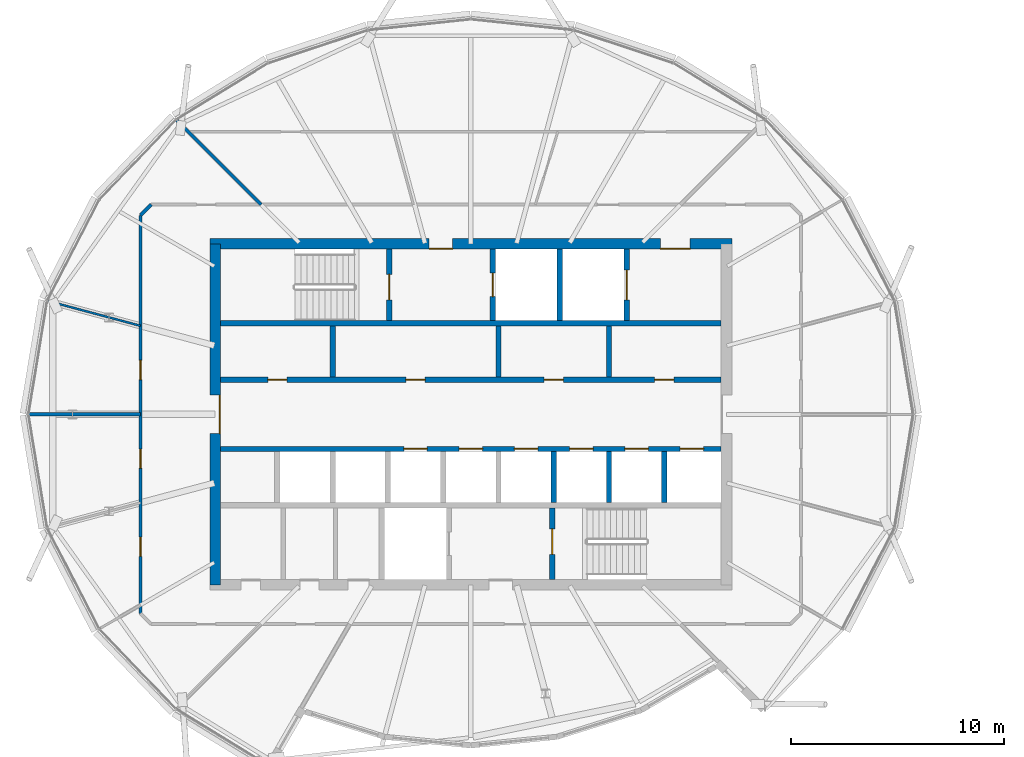
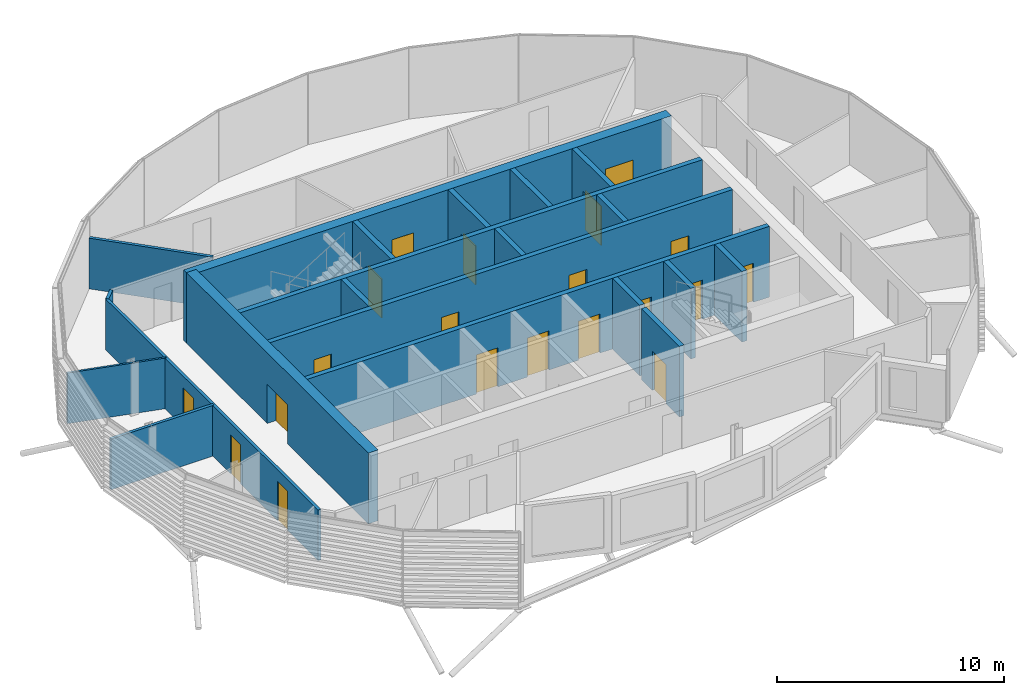
# One storey, part 19 of 35: 21 walls, 20 doors, 20 openings.
"""IFC4 building model written with IfcOpenShell, lengths in metres."""

from ifc_helpers import new_model, si_unit, direction, frame, frame_2d, origin, place, context, subcontext, project, spatial, rectangle, extrude, material, layer, layer_set, type_object, element, fill, save


model = new_model("IFC4")

# Units and contexts
model_context = context("Model", 3, precision=1e-05, world=origin(), true_north=direction((0.0, 1.0)))
body_context = subcontext(model_context, "Body", "Model", "MODEL_VIEW")
ifc_project = project(units=[si_unit("LENGTHUNIT", "METRE"), si_unit("AREAUNIT", "SQUARE_METRE"), si_unit("VOLUMEUNIT", "CUBIC_METRE"), si_unit("PLANEANGLEUNIT", "RADIAN"), si_unit("MASSUNIT", "GRAM", prefix="KILO")], contexts=[model_context])

# Site, building, storey
site_placement = place(None, origin())
site = spatial("IfcSite", under=ifc_project, at=site_placement, CompositionType="ELEMENT")
building_placement = place(site_placement, origin())
building = spatial("IfcBuilding", under=site, at=building_placement, Name="Rimbun Link Towers", CompositionType="ELEMENT")
storey_placement = place(building_placement, frame((0.0, 0.0, 229.5)))
storey = spatial("IfcBuildingStorey", under=building, at=storey_placement, Name="L56", CompositionType="ELEMENT", Elevation=229.5)

# Wall, openings, doors
ifc_material_1 = material(Name="Concrete C60/75", Category="concrete")
ifc_layer_1 = layer(ifc_material_1, 0.5)
ifc_layer_set_1 = layer_set([ifc_layer_1], Name="Core shear wall 500")
wall_type_1 = type_object("IfcWallType", Name="Core shear wall 500", PredefinedType="SHEAR", material=ifc_layer_set_1)
wall_1_placement = place(storey_placement, frame((-44.0, 8.0, 0.0), z_axis=(0.0, 0.0, 1.0), x_axis=(1.0, 0.0, 0.0)))
wall_1 = element("IfcWall", 1, at=wall_1_placement, inside=storey, type_object=wall_type_1, Name="L56 T1 core wall N", PredefinedType="SHEAR", context=body_context, shape_type="SweptSolid", body=[
    extrude(rectangle(XDim=24.5, YDim=0.5, at=frame_2d((12.25, 0.0))), origin(), (0.0, 0.0, 1.0), 3.800048828125),
])
opening_1_placement = place(wall_1_placement, frame((10.300048828125, 0.0, 0.0)))
opening_1 = element("IfcOpeningElement", 2, at=opening_1_placement, cuts=wall_1, Name="Opening C1DCF01N", PredefinedType="OPENING", context=body_context, shape_type="SweptSolid", body=[
    extrude(rectangle(XDim=1.10009765625, YDim=2.10009765625, at=frame_2d((0.550048828125, 1.050048828125))), frame((0.0, 0.260009765625, 0.0), z_axis=(0.0, -1.0, 0.0), x_axis=(1.0, 0.0, 0.0)), (0.0, 0.0, 1.0), 0.52001953125),
])
opening_2_placement = place(wall_1_placement, frame((21.14990234375, 0.0, 0.0)))
opening_2 = element("IfcOpeningElement", 3, at=opening_2_placement, cuts=wall_1, Name="Opening C1DSL02N", PredefinedType="OPENING", context=body_context, shape_type="SweptSolid", body=[
    extrude(rectangle(XDim=1.39990234375, YDim=2.10009765625, at=frame_2d((0.699951171875, 1.050048828125))), frame((0.0, 0.260009765625, 0.0), z_axis=(0.0, -1.0, 0.0), x_axis=(1.0, 0.0, 0.0)), (0.0, 0.0, 1.0), 0.52001953125),
])
ifc_material_2 = material(Name="Steel fire door set", Category="steel")
door_type_1 = type_object("IfcDoorType", Name="Core fire door single", OperationType="SINGLE_SWING_LEFT", PredefinedType="DOOR", material=ifc_material_2)
door_1_placement = place(opening_1_placement, origin())
door_1 = element("IfcDoor", 4, at=door_1_placement, inside=storey, type_object=door_type_1, Name="L56 T1 firefighting lobby n door", OperationType="SINGLE_SWING_RIGHT", OverallHeight=2.10009765625, OverallWidth=1.10009765625, PredefinedType="DOOR", context=body_context, shape_type="SweptSolid", body=[
    extrude(rectangle(XDim=1.10009765625, YDim=2.10009765625, at=frame_2d((0.550048828125, 1.050048828125))), frame((0.0, -0.2001953125, 0.0), z_axis=(0.0, -1.0, 0.0), x_axis=(1.0, 0.0, 0.0)), (0.0, 0.0, 1.0), 0.050048828125),
])
fill(opening_1, door_1)
ifc_material_3 = material(Name="Steel fire door set", Category="steel")
door_type_2 = type_object("IfcDoorType", Name="Service lobby door double", OperationType="DOUBLE_DOOR_SINGLE_SWING", PredefinedType="DOOR", material=ifc_material_3)
door_2_placement = place(opening_2_placement, origin())
door_2 = element("IfcDoor", 5, at=door_2_placement, inside=storey, type_object=door_type_2, Name="L56 T1 service lobby door", OperationType="DOUBLE_DOOR_SINGLE_SWING", OverallHeight=2.10009765625, OverallWidth=1.39990234375, PredefinedType="DOOR", context=body_context, shape_type="SweptSolid", body=[
    extrude(rectangle(XDim=1.39990234375, YDim=2.10009765625, at=frame_2d((0.699951171875, 1.050048828125))), frame((0.0, -0.2001953125, 0.0), z_axis=(0.0, -1.0, 0.0), x_axis=(1.0, 0.0, 0.0)), (0.0, 0.0, 1.0), 0.050048828125),
])
fill(opening_2, door_2)

# Wall, opening, door
wall_2_placement = place(storey_placement, frame((-43.75, -8.0, 0.0), z_axis=(0.0, 0.0, 1.0), x_axis=(0.0, 1.0, 0.0)))
wall_2 = element("IfcWall", 6, at=wall_2_placement, inside=storey, type_object=wall_type_1, Name="L56 T1 core wall W", PredefinedType="SHEAR", context=body_context, shape_type="SweptSolid", body=[
    extrude(rectangle(XDim=16.0, YDim=0.5, at=frame_2d((8.0, 0.0))), origin(), (0.0, 0.0, 1.0), 3.800048828125),
])
opening_3_placement = place(wall_2_placement, frame((7.10009765625, 0.0, 0.0)))
opening_3 = element("IfcOpeningElement", 7, at=opening_3_placement, cuts=wall_2, Name="Opening C1DCL01W", PredefinedType="OPENING", context=body_context, shape_type="SweptSolid", body=[
    extrude(rectangle(XDim=1.800048828125, YDim=2.10009765625, at=frame_2d((0.89990234375, 1.050048828125))), frame((0.0, 0.260009765625, 0.0), z_axis=(0.0, -1.0, 0.0), x_axis=(1.0, 0.0, 0.0)), (0.0, 0.0, 1.0), 0.52001953125),
])
ifc_material_4 = material(Name="Steel fire door set", Category="steel")
door_type_3 = type_object("IfcDoorType", Name="Core lobby door double", OperationType="DOUBLE_DOOR_SINGLE_SWING", PredefinedType="DOOR", material=ifc_material_4)
door_3_placement = place(opening_3_placement, origin())
door_3 = element("IfcDoor", 8, at=door_3_placement, inside=storey, type_object=door_type_3, Name="L56 T1 lift lobby door", OperationType="DOUBLE_DOOR_SINGLE_SWING", OverallHeight=2.10009765625, OverallWidth=1.800048828125, PredefinedType="DOOR", context=body_context, shape_type="SweptSolid", body=[
    extrude(rectangle(XDim=1.800048828125, YDim=2.10009765625, at=frame_2d((0.89990234375, 1.050048828125))), frame((0.0, -0.2001953125, 0.0), z_axis=(0.0, -1.0, 0.0), x_axis=(1.0, 0.0, 0.0)), (0.0, 0.0, 1.0), 0.050048828125),
])
fill(opening_3, door_3)

# Wall, openings, doors
ifc_material_5 = material(Name="Plasterboard on steel stud, mineral wool", Category="steel")
ifc_layer_2 = layer(ifc_material_5, 0.14990234375)
ifc_layer_set_2 = layer_set([ifc_layer_2], Name="Corridor wall EI 30 150 mm")
wall_type_2 = type_object("IfcWallType", Name="Corridor wall EI 30 150 mm", PredefinedType="PARTITIONING", material=ifc_layer_set_2)
wall_3_placement = place(storey_placement, frame((-47.2548828125, -9.34375, 0.0), z_axis=(0.0, 0.0, 1.0), x_axis=(0.0, 1.0, 0.0)))
wall_3 = element("IfcWall", 9, at=wall_3_placement, inside=storey, type_object=wall_type_2, Name="Corridor wall EI 30 150 mm", PredefinedType="PARTITIONING", context=body_context, shape_type="SweptSolid", body=[
    extrude(rectangle(XDim=18.6875, YDim=0.14990234375, at=frame_2d((9.34375, 0.0))), origin(), (0.0, 0.0, 1.0), 2.721923828125),
])
opening_4_placement = place(wall_3_placement, frame((10.970947265625, 0.0, 0.0)))
opening_4 = element("IfcOpeningElement", 10, at=opening_4_placement, cuts=wall_3, Name="Opening D02", PredefinedType="OPENING", context=body_context, shape_type="SweptSolid", body=[
    extrude(rectangle(XDim=0.89990234375, YDim=2.10009765625, at=frame_2d((0.449951171875, 1.050048828125))), frame((0.0, 0.0849609375, 0.0), z_axis=(0.0, -1.0, 0.0), x_axis=(1.0, 0.0, 0.0)), (0.0, 0.0, 1.0), 0.169921875),
])
opening_5_placement = place(wall_3_placement, frame((6.81640625, 0.0, 0.0)))
opening_5 = element("IfcOpeningElement", 11, at=opening_5_placement, cuts=wall_3, Name="Opening D02", PredefinedType="OPENING", context=body_context, shape_type="SweptSolid", body=[
    extrude(rectangle(XDim=0.89990234375, YDim=2.10009765625, at=frame_2d((0.449951171875, 1.050048828125))), frame((0.0, 0.0849609375, 0.0), z_axis=(0.0, -1.0, 0.0), x_axis=(1.0, 0.0, 0.0)), (0.0, 0.0, 1.0), 0.169921875),
])
opening_6_placement = place(wall_3_placement, frame((2.676513671875, 0.0, 0.0)))
opening_6 = element("IfcOpeningElement", 12, at=opening_6_placement, cuts=wall_3, Name="Opening D02", PredefinedType="OPENING", context=body_context, shape_type="SweptSolid", body=[
    extrude(rectangle(XDim=0.89990234375, YDim=2.10009765625, at=frame_2d((0.449951171875, 1.050048828125))), frame((0.0, 0.0849609375, 0.0), z_axis=(0.0, -1.0, 0.0), x_axis=(1.0, 0.0, 0.0)), (0.0, 0.0, 1.0), 0.169921875),
])
ifc_material_6 = material(Name="Fire-resisting timber door leaf", Category="wood")
door_type_4 = type_object("IfcDoorType", Name="Fire door FD30S 900", OperationType="NOTDEFINED", PredefinedType="DOOR", material=ifc_material_6)
door_4_placement = place(opening_4_placement, origin())
door_4 = element("IfcDoor", 13, at=door_4_placement, inside=storey, type_object=door_type_4, Name="Fire door FD30S 900 to Meeting room", OperationType="SINGLE_SWING_LEFT", OverallHeight=2.10009765625, OverallWidth=0.89990234375, PredefinedType="DOOR", context=body_context, shape_type="SweptSolid", body=[
    extrude(rectangle(XDim=0.89990234375, YDim=2.10009765625, at=frame_2d((0.449951171875, 1.050048828125))), frame((0.0, 0.02490234375, 0.0), z_axis=(0.0, -1.0, 0.0), x_axis=(1.0, 0.0, 0.0)), (0.0, 0.0, 1.0), 0.050048828125),
])
fill(opening_4, door_4)
door_5_placement = place(opening_5_placement, origin())
door_5 = element("IfcDoor", 14, at=door_5_placement, inside=storey, type_object=door_type_4, Name="Fire door FD30S 900 to Meeting room", OperationType="SINGLE_SWING_RIGHT", OverallHeight=2.10009765625, OverallWidth=0.89990234375, PredefinedType="DOOR", context=body_context, shape_type="SweptSolid", body=[
    extrude(rectangle(XDim=0.89990234375, YDim=2.10009765625, at=frame_2d((0.449951171875, 1.050048828125))), frame((0.0, 0.02490234375, 0.0), z_axis=(0.0, -1.0, 0.0), x_axis=(1.0, 0.0, 0.0)), (0.0, 0.0, 1.0), 0.050048828125),
])
fill(opening_5, door_5)
door_6_placement = place(opening_6_placement, origin())
door_6 = element("IfcDoor", 15, at=door_6_placement, inside=storey, type_object=door_type_4, Name="Fire door FD30S 900 to Executive office", OperationType="SINGLE_SWING_LEFT", OverallHeight=2.10009765625, OverallWidth=0.89990234375, PredefinedType="DOOR", context=body_context, shape_type="SweptSolid", body=[
    extrude(rectangle(XDim=0.89990234375, YDim=2.10009765625, at=frame_2d((0.449951171875, 1.050048828125))), frame((0.0, 0.02490234375, 0.0), z_axis=(0.0, -1.0, 0.0), x_axis=(1.0, 0.0, 0.0)), (0.0, 0.0, 1.0), 0.050048828125),
])
fill(opening_6, door_6)

# Walls
wall_4_placement = place(storey_placement, frame((-46.753662109375, 9.844970703125, 0.0), z_axis=(0.0, 0.0, 1.0), x_axis=(-0.707106781187, -0.707106781187, 0.0)))
element("IfcWall", 16, at=wall_4_placement, inside=storey, type_object=wall_type_2, Name="Corridor wall EI 30 150 mm", PredefinedType="PARTITIONING", context=body_context, shape_type="SweptSolid", body=[
    extrude(rectangle(XDim=0.708740234375, YDim=0.14990234375, at=frame_2d((0.3544921875, 0.0))), origin(), (0.0, 0.0, 1.0), 2.721923828125),
])
ifc_material_7 = material(Name="Plasterboard on steel stud", Category="steel")
ifc_layer_3 = layer(ifc_material_7, 0.10009765625)
ifc_layer_set_3 = layer_set([ifc_layer_3], Name="Plasterboard partition 100 mm")
wall_type_3 = type_object("IfcWallType", Name="Plasterboard partition 100 mm", PredefinedType="PARTITIONING", material=ifc_layer_set_3)
wall_5_placement = place(storey_placement, frame((-51.6171875, 5.323486328125, 0.0), z_axis=(0.0, 0.0, 1.0), x_axis=(0.965921990313, -0.258833360735, 0.0)))
element("IfcWall", 17, at=wall_5_placement, inside=storey, type_object=wall_type_3, Name="Plasterboard partition 100 mm", PredefinedType="PARTITIONING", context=body_context, shape_type="SweptSolid", body=[
    extrude(rectangle(XDim=4.51611328125, YDim=0.10009765625, at=frame_2d((2.258056640625, 0.0))), origin(), (0.0, 0.0, 1.0), 2.721923828125),
])
ifc_material_8 = material(Name="Concrete C60/75", Category="concrete")
ifc_layer_4 = layer(ifc_material_8, 0.25)
ifc_layer_set_4 = layer_set([ifc_layer_4], Name="Shaft wall 250")
wall_type_4 = type_object("IfcWallType", Name="Shaft wall 250", PredefinedType="SHEAR", material=ifc_layer_set_4)
wall_6_placement = place(storey_placement, frame((-43.5, 4.27490234375, 0.0), z_axis=(0.0, 0.0, 1.0), x_axis=(1.0, 0.0, 0.0)))
element("IfcWall", 18, at=wall_6_placement, inside=storey, type_object=wall_type_4, Name="L56 T1 core wall BN", PredefinedType="SHEAR", context=body_context, shape_type="SweptSolid", body=[
    extrude(rectangle(XDim=23.5, YDim=0.25, at=frame_2d((11.75, 0.0))), origin(), (0.0, 0.0, 1.0), 3.800048828125),
])

# Wall, openings, doors
wall_7_placement = place(storey_placement, frame((-43.5, 1.625, 0.0), z_axis=(0.0, 0.0, 1.0), x_axis=(1.0, 0.0, 0.0)))
wall_7 = element("IfcWall", 19, at=wall_7_placement, inside=storey, type_object=wall_type_4, Name="L56 T1 core wall FN", PredefinedType="SHEAR", context=body_context, shape_type="SweptSolid", body=[
    extrude(rectangle(XDim=23.5, YDim=0.25, at=frame_2d((11.75, 0.0))), origin(), (0.0, 0.0, 1.0), 3.800048828125),
])
opening_7_placement = place(wall_7_placement, frame((2.219482421875, 0.0, 0.0)))
opening_7 = element("IfcOpeningElement", 20, at=opening_7_placement, cuts=wall_7, Name="Opening C1DRS01FN", PredefinedType="OPENING", context=body_context, shape_type="SweptSolid", body=[
    extrude(rectangle(XDim=0.89990234375, YDim=2.10009765625, at=frame_2d((0.449951171875, 1.050048828125))), frame((0.0, 0.135009765625, 0.0), z_axis=(0.0, -1.0, 0.0), x_axis=(1.0, 0.0, 0.0)), (0.0, 0.0, 1.0), 0.27001953125),
])
opening_8_placement = place(wall_7_placement, frame((8.70556640625, 0.0, 0.0)))
opening_8 = element("IfcOpeningElement", 21, at=opening_8_placement, cuts=wall_7, Name="Opening C1DRS02FN", PredefinedType="OPENING", context=body_context, shape_type="SweptSolid", body=[
    extrude(rectangle(XDim=0.89990234375, YDim=2.10009765625, at=frame_2d((0.449951171875, 1.050048828125))), frame((0.0, 0.135009765625, 0.0), z_axis=(0.0, -1.0, 0.0), x_axis=(1.0, 0.0, 0.0)), (0.0, 0.0, 1.0), 0.27001953125),
])
opening_9_placement = place(wall_7_placement, frame((15.191650390625, 0.0, 0.0)))
opening_9 = element("IfcOpeningElement", 22, at=opening_9_placement, cuts=wall_7, Name="Opening C1DRS03FN", PredefinedType="OPENING", context=body_context, shape_type="SweptSolid", body=[
    extrude(rectangle(XDim=0.89990234375, YDim=2.10009765625, at=frame_2d((0.449951171875, 1.050048828125))), frame((0.0, 0.135009765625, 0.0), z_axis=(0.0, -1.0, 0.0), x_axis=(1.0, 0.0, 0.0)), (0.0, 0.0, 1.0), 0.27001953125),
])
opening_10_placement = place(wall_7_placement, frame((20.380615234375, 0.0, 0.0)))
opening_10 = element("IfcOpeningElement", 23, at=opening_10_placement, cuts=wall_7, Name="Opening C1DRS04FN", PredefinedType="OPENING", context=body_context, shape_type="SweptSolid", body=[
    extrude(rectangle(XDim=0.89990234375, YDim=2.10009765625, at=frame_2d((0.449951171875, 1.050048828125))), frame((0.0, 0.135009765625, 0.0), z_axis=(0.0, -1.0, 0.0), x_axis=(1.0, 0.0, 0.0)), (0.0, 0.0, 1.0), 0.27001953125),
])
ifc_material_9 = material(Name="Steel fire door set", Category="steel")
door_type_5 = type_object("IfcDoorType", Name="Core riser door", OperationType="SINGLE_SWING_LEFT", PredefinedType="DOOR", material=ifc_material_9)
door_7_placement = place(opening_7_placement, origin())
door_7 = element("IfcDoor", 24, at=door_7_placement, inside=storey, type_object=door_type_5, Name="L56 T1 first aid room door", OperationType="SINGLE_SWING_LEFT", OverallHeight=2.10009765625, OverallWidth=0.89990234375, PredefinedType="DOOR", context=body_context, shape_type="SweptSolid", body=[
    extrude(rectangle(XDim=0.89990234375, YDim=2.10009765625, at=frame_2d((0.449951171875, 1.050048828125))), frame((0.0, 0.02490234375, 0.0), z_axis=(0.0, -1.0, 0.0), x_axis=(1.0, 0.0, 0.0)), (0.0, 0.0, 1.0), 0.050048828125),
])
fill(opening_7, door_7)
door_8_placement = place(opening_8_placement, origin())
door_8 = element("IfcDoor", 25, at=door_8_placement, inside=storey, type_object=door_type_5, Name="L56 T1 plant room door", OperationType="SINGLE_SWING_LEFT", OverallHeight=2.10009765625, OverallWidth=0.89990234375, PredefinedType="DOOR", context=body_context, shape_type="SweptSolid", body=[
    extrude(rectangle(XDim=0.89990234375, YDim=2.10009765625, at=frame_2d((0.449951171875, 1.050048828125))), frame((0.0, 0.02490234375, 0.0), z_axis=(0.0, -1.0, 0.0), x_axis=(1.0, 0.0, 0.0)), (0.0, 0.0, 1.0), 0.050048828125),
])
fill(opening_8, door_8)
door_9_placement = place(opening_9_placement, origin())
door_9 = element("IfcDoor", 26, at=door_9_placement, inside=storey, type_object=door_type_5, Name="L56 T1 archive store door", OperationType="SINGLE_SWING_RIGHT", OverallHeight=2.10009765625, OverallWidth=0.89990234375, PredefinedType="DOOR", context=body_context, shape_type="SweptSolid", body=[
    extrude(rectangle(XDim=0.89990234375, YDim=2.10009765625, at=frame_2d((0.449951171875, 1.050048828125))), frame((0.0, 0.02490234375, 0.0), z_axis=(0.0, -1.0, 0.0), x_axis=(1.0, 0.0, 0.0)), (0.0, 0.0, 1.0), 0.050048828125),
])
fill(opening_9, door_9)
door_10_placement = place(opening_10_placement, origin())
door_10 = element("IfcDoor", 27, at=door_10_placement, inside=storey, type_object=door_type_5, Name="L56 T1 pantry door", OperationType="SINGLE_SWING_LEFT", OverallHeight=2.10009765625, OverallWidth=0.89990234375, PredefinedType="DOOR", context=body_context, shape_type="SweptSolid", body=[
    extrude(rectangle(XDim=0.89990234375, YDim=2.10009765625, at=frame_2d((0.449951171875, 1.050048828125))), frame((0.0, 0.02490234375, 0.0), z_axis=(0.0, -1.0, 0.0), x_axis=(1.0, 0.0, 0.0)), (0.0, 0.0, 1.0), 0.050048828125),
])
fill(opening_10, door_10)

wall_8_placement = place(storey_placement, frame((-43.5, -1.625, 0.0), z_axis=(0.0, 0.0, 1.0), x_axis=(1.0, 0.0, 0.0)))
wall_8 = element("IfcWall", 28, at=wall_8_placement, inside=storey, type_object=wall_type_4, Name="L56 T1 core wall FS", PredefinedType="SHEAR", context=body_context, shape_type="SweptSolid", body=[
    extrude(rectangle(XDim=23.5, YDim=0.25, at=frame_2d((11.75, 0.0))), origin(), (0.0, 0.0, 1.0), 3.800048828125),
])
opening_11_placement = place(wall_8_placement, frame((8.605712890625, 0.0, 0.0)))
opening_11 = element("IfcOpeningElement", 29, at=opening_11_placement, cuts=wall_8, Name="Opening LD-T1-HR1", PredefinedType="OPENING", context=body_context, shape_type="SweptSolid", body=[
    extrude(rectangle(XDim=1.10009765625, YDim=2.10009765625, at=frame_2d((0.550048828125, 1.050048828125))), frame((0.0, 0.135009765625, 0.0), z_axis=(0.0, -1.0, 0.0), x_axis=(1.0, 0.0, 0.0)), (0.0, 0.0, 1.0), 0.27001953125),
])
opening_12_placement = place(wall_8_placement, frame((11.199951171875, 0.0, 0.0)))
opening_12 = element("IfcOpeningElement", 30, at=opening_12_placement, cuts=wall_8, Name="Opening LD-T1-HR2", PredefinedType="OPENING", context=body_context, shape_type="SweptSolid", body=[
    extrude(rectangle(XDim=1.10009765625, YDim=2.10009765625, at=frame_2d((0.550048828125, 1.050048828125))), frame((0.0, 0.135009765625, 0.0), z_axis=(0.0, -1.0, 0.0), x_axis=(1.0, 0.0, 0.0)), (0.0, 0.0, 1.0), 0.27001953125),
])
opening_13_placement = place(wall_8_placement, frame((13.79443359375, 0.0, 0.0)))
opening_13 = element("IfcOpeningElement", 31, at=opening_13_placement, cuts=wall_8, Name="Opening LD-T1-HR3", PredefinedType="OPENING", context=body_context, shape_type="SweptSolid", body=[
    extrude(rectangle(XDim=1.10009765625, YDim=2.10009765625, at=frame_2d((0.550048828125, 1.050048828125))), frame((0.0, 0.135009765625, 0.0), z_axis=(0.0, -1.0, 0.0), x_axis=(1.0, 0.0, 0.0)), (0.0, 0.0, 1.0), 0.27001953125),
])
opening_14_placement = place(wall_8_placement, frame((16.388916015625, 0.0, 0.0)))
opening_14 = element("IfcOpeningElement", 32, at=opening_14_placement, cuts=wall_8, Name="Opening LD-T1-HR4", PredefinedType="OPENING", context=body_context, shape_type="SweptSolid", body=[
    extrude(rectangle(XDim=1.10009765625, YDim=2.10009765625, at=frame_2d((0.550048828125, 1.050048828125))), frame((0.0, 0.135009765625, 0.0), z_axis=(0.0, -1.0, 0.0), x_axis=(1.0, 0.0, 0.0)), (0.0, 0.0, 1.0), 0.27001953125),
])
opening_15_placement = place(wall_8_placement, frame((18.9833984375, 0.0, 0.0)))
opening_15 = element("IfcOpeningElement", 33, at=opening_15_placement, cuts=wall_8, Name="Opening LD-T1-HR5", PredefinedType="OPENING", context=body_context, shape_type="SweptSolid", body=[
    extrude(rectangle(XDim=1.10009765625, YDim=2.10009765625, at=frame_2d((0.550048828125, 1.050048828125))), frame((0.0, 0.135009765625, 0.0), z_axis=(0.0, -1.0, 0.0), x_axis=(1.0, 0.0, 0.0)), (0.0, 0.0, 1.0), 0.27001953125),
])
opening_16_placement = place(wall_8_placement, frame((21.577880859375, 0.0, 0.0)))
opening_16 = element("IfcOpeningElement", 34, at=opening_16_placement, cuts=wall_8, Name="Opening LD-T1-HR6", PredefinedType="OPENING", context=body_context, shape_type="SweptSolid", body=[
    extrude(rectangle(XDim=1.10009765625, YDim=2.10009765625, at=frame_2d((0.550048828125, 1.050048828125))), frame((0.0, 0.135009765625, 0.0), z_axis=(0.0, -1.0, 0.0), x_axis=(1.0, 0.0, 0.0)), (0.0, 0.0, 1.0), 0.27001953125),
])
ifc_material_10 = material(Name="Stainless steel grade 316", Category="steel")
door_type_6 = type_object("IfcDoorType", Name="Lift landing door", OperationType="DOUBLE_DOOR_SLIDING", PredefinedType="DOOR", material=ifc_material_10)
door_11_placement = place(opening_11_placement, origin())
door_11 = element("IfcDoor", 35, at=door_11_placement, inside=storey, type_object=door_type_6, Name="L56 T1 lift HR1 landing door", OperationType="DOUBLE_DOOR_SLIDING", OverallHeight=2.10009765625, OverallWidth=1.10009765625, PredefinedType="DOOR", context=body_context, shape_type="SweptSolid", body=[
    extrude(rectangle(XDim=1.10009765625, YDim=2.10009765625, at=frame_2d((0.550048828125, 1.050048828125))), frame((0.0, 0.02490234375, 0.0), z_axis=(0.0, -1.0, 0.0), x_axis=(1.0, 0.0, 0.0)), (0.0, 0.0, 1.0), 0.050048828125),
])
fill(opening_11, door_11)
door_12_placement = place(opening_12_placement, origin())
door_12 = element("IfcDoor", 36, at=door_12_placement, inside=storey, type_object=door_type_6, Name="L56 T1 lift HR2 landing door", OperationType="DOUBLE_DOOR_SLIDING", OverallHeight=2.10009765625, OverallWidth=1.10009765625, PredefinedType="DOOR", context=body_context, shape_type="SweptSolid", body=[
    extrude(rectangle(XDim=1.10009765625, YDim=2.10009765625, at=frame_2d((0.550048828125, 1.050048828125))), frame((0.0, 0.02490234375, 0.0), z_axis=(0.0, -1.0, 0.0), x_axis=(1.0, 0.0, 0.0)), (0.0, 0.0, 1.0), 0.050048828125),
])
fill(opening_12, door_12)
door_13_placement = place(opening_13_placement, origin())
door_13 = element("IfcDoor", 37, at=door_13_placement, inside=storey, type_object=door_type_6, Name="L56 T1 lift HR3 landing door", OperationType="DOUBLE_DOOR_SLIDING", OverallHeight=2.10009765625, OverallWidth=1.10009765625, PredefinedType="DOOR", context=body_context, shape_type="SweptSolid", body=[
    extrude(rectangle(XDim=1.10009765625, YDim=2.10009765625, at=frame_2d((0.550048828125, 1.050048828125))), frame((0.0, 0.02490234375, 0.0), z_axis=(0.0, -1.0, 0.0), x_axis=(1.0, 0.0, 0.0)), (0.0, 0.0, 1.0), 0.050048828125),
])
fill(opening_13, door_13)
door_14_placement = place(opening_14_placement, origin())
door_14 = element("IfcDoor", 38, at=door_14_placement, inside=storey, type_object=door_type_6, Name="L56 T1 lift HR4 landing door", OperationType="DOUBLE_DOOR_SLIDING", OverallHeight=2.10009765625, OverallWidth=1.10009765625, PredefinedType="DOOR", context=body_context, shape_type="SweptSolid", body=[
    extrude(rectangle(XDim=1.10009765625, YDim=2.10009765625, at=frame_2d((0.550048828125, 1.050048828125))), frame((0.0, 0.02490234375, 0.0), z_axis=(0.0, -1.0, 0.0), x_axis=(1.0, 0.0, 0.0)), (0.0, 0.0, 1.0), 0.050048828125),
])
fill(opening_14, door_14)
door_15_placement = place(opening_15_placement, origin())
door_15 = element("IfcDoor", 39, at=door_15_placement, inside=storey, type_object=door_type_6, Name="L56 T1 lift HR5 landing door", OperationType="DOUBLE_DOOR_SLIDING", OverallHeight=2.10009765625, OverallWidth=1.10009765625, PredefinedType="DOOR", context=body_context, shape_type="SweptSolid", body=[
    extrude(rectangle(XDim=1.10009765625, YDim=2.10009765625, at=frame_2d((0.550048828125, 1.050048828125))), frame((0.0, 0.02490234375, 0.0), z_axis=(0.0, -1.0, 0.0), x_axis=(1.0, 0.0, 0.0)), (0.0, 0.0, 1.0), 0.050048828125),
])
fill(opening_15, door_15)
door_16_placement = place(opening_16_placement, origin())
door_16 = element("IfcDoor", 40, at=door_16_placement, inside=storey, type_object=door_type_6, Name="L56 T1 lift HR6 landing door", OperationType="DOUBLE_DOOR_SLIDING", OverallHeight=2.10009765625, OverallWidth=1.10009765625, PredefinedType="DOOR", context=body_context, shape_type="SweptSolid", body=[
    extrude(rectangle(XDim=1.10009765625, YDim=2.10009765625, at=frame_2d((0.550048828125, 1.050048828125))), frame((0.0, 0.02490234375, 0.0), z_axis=(0.0, -1.0, 0.0), x_axis=(1.0, 0.0, 0.0)), (0.0, 0.0, 1.0), 0.050048828125),
])
fill(opening_16, door_16)

# Walls
for number, where, z_axis, x_axis, name in (
    (41, (-38.236083984375, 1.75, 0.0), (0.0, 0.0, 1.0), (0.0, 1.0, 0.0), "L56 T1 core wall DN1"),
    (42, (-30.452880859375, 1.75, 0.0), (0.0, 0.0, 1.0), (0.0, 1.0, 0.0), "L56 T1 core wall DN4"),
    (43, (-25.263916015625, 1.75, 0.0), (0.0, 0.0, 1.0), (0.0, 1.0, 0.0), "L56 T1 core wall DN6"),
    (44, (-27.8583984375, -4.14990234375, 0.0), (0.0, 0.0, 1.0), (0.0, 1.0, 0.0), "L56 T1 core wall DS5"),
    (45, (-25.263916015625, -4.14990234375, 0.0), (0.0, 0.0, 1.0), (0.0, 1.0, 0.0), "L56 T1 core wall DS6"),
    (46, (-22.66943359375, -4.14990234375, 0.0), (0.0, 0.0, 1.0), (0.0, 1.0, 0.0), "L56 T1 core wall DS7"),
):
    element("IfcWall", number, at=place(storey_placement, frame(where, z_axis=z_axis, x_axis=x_axis)), inside=storey, type_object=wall_type_4, Name=name, PredefinedType="SHEAR", context=body_context, shape_type="SweptSolid", body=[
        extrude(rectangle(XDim=2.39990234375, YDim=0.25, at=frame_2d((1.199951171875, 0.0))), origin(), (0.0, 0.0, 1.0), 3.800048828125),
    ])

# Wall, opening, door
wall_9_placement = place(storey_placement, frame((-35.574951171875, 4.39990234375, 0.0), z_axis=(0.0, 0.0, 1.0), x_axis=(0.0, 1.0, 0.0)))
wall_9 = element("IfcWall", 47, at=wall_9_placement, inside=storey, type_object=wall_type_4, Name="L56 T1 core wall A1", PredefinedType="SHEAR", context=body_context, shape_type="SweptSolid", body=[
    extrude(rectangle(XDim=3.35009765625, YDim=0.25, at=frame_2d((1.675048828125, 0.0))), origin(), (0.0, 0.0, 1.0), 3.800048828125),
])
opening_17_placement = place(wall_9_placement, frame((0.97509765625, 0.0, 0.0)))
opening_17 = element("IfcOpeningElement", 48, at=opening_17_placement, cuts=wall_9, Name="Opening C1DST01A1", PredefinedType="OPENING", context=body_context, shape_type="SweptSolid", body=[
    extrude(rectangle(XDim=1.199951171875, YDim=2.10009765625, at=frame_2d((0.60009765625, 1.050048828125))), frame((0.0, 0.135009765625, 0.0), z_axis=(0.0, -1.0, 0.0), x_axis=(1.0, 0.0, 0.0)), (0.0, 0.0, 1.0), 0.27001953125),
])
ifc_material_11 = material(Name="Steel fire door set", Category="steel")
door_type_7 = type_object("IfcDoorType", Name="Stair door", OperationType="SINGLE_SWING_LEFT", PredefinedType="DOOR", material=ifc_material_11)
door_17_placement = place(opening_17_placement, origin())
door_17 = element("IfcDoor", 49, at=door_17_placement, inside=storey, type_object=door_type_7, Name="L56 T1 stair a door", OperationType="SINGLE_SWING_RIGHT", OverallHeight=2.10009765625, OverallWidth=1.199951171875, PredefinedType="DOOR", context=body_context, shape_type="SweptSolid", body=[
    extrude(rectangle(XDim=1.199951171875, YDim=2.10009765625, at=frame_2d((0.60009765625, 1.050048828125))), frame((0.0, 0.02490234375, 0.0), z_axis=(0.0, -1.0, 0.0), x_axis=(1.0, 0.0, 0.0)), (0.0, 0.0, 1.0), 0.050048828125),
])
fill(opening_17, door_17)

wall_10_placement = place(storey_placement, frame((-30.72509765625, 4.39990234375, 0.0), z_axis=(0.0, 0.0, 1.0), x_axis=(0.0, 1.0, 0.0)))
wall_10 = element("IfcWall", 50, at=wall_10_placement, inside=storey, type_object=wall_type_4, Name="L56 T1 core wall A2", PredefinedType="SHEAR", context=body_context, shape_type="SweptSolid", body=[
    extrude(rectangle(XDim=3.35009765625, YDim=0.25, at=frame_2d((1.675048828125, 0.0))), origin(), (0.0, 0.0, 1.0), 3.800048828125),
])
opening_18_placement = place(wall_10_placement, frame((1.125, 0.0, 0.0)))
opening_18 = element("IfcOpeningElement", 51, at=opening_18_placement, cuts=wall_10, Name="Opening LD-T1-FF1", PredefinedType="OPENING", context=body_context, shape_type="SweptSolid", body=[
    extrude(rectangle(XDim=1.10009765625, YDim=2.10009765625, at=frame_2d((0.550048828125, 1.050048828125))), frame((0.0, 0.135009765625, 0.0), z_axis=(0.0, -1.0, 0.0), x_axis=(1.0, 0.0, 0.0)), (0.0, 0.0, 1.0), 0.27001953125),
])
door_18_placement = place(opening_18_placement, origin())
door_18 = element("IfcDoor", 52, at=door_18_placement, inside=storey, type_object=door_type_6, Name="L56 T1 lift FF1 landing door", OperationType="DOUBLE_DOOR_SLIDING", OverallHeight=2.10009765625, OverallWidth=1.10009765625, PredefinedType="DOOR", context=body_context, shape_type="SweptSolid", body=[
    extrude(rectangle(XDim=1.10009765625, YDim=2.10009765625, at=frame_2d((0.550048828125, 1.050048828125))), frame((0.0, 0.02490234375, 0.0), z_axis=(0.0, -1.0, 0.0), x_axis=(1.0, 0.0, 0.0)), (0.0, 0.0, 1.0), 0.050048828125),
])
fill(opening_18, door_18)

# Wall
wall_11_placement = place(storey_placement, frame((-27.574951171875, 4.39990234375, 0.0), z_axis=(0.0, 0.0, 1.0), x_axis=(0.0, 1.0, 0.0)))
element("IfcWall", 53, at=wall_11_placement, inside=storey, type_object=wall_type_4, Name="L56 T1 core wall A3", PredefinedType="SHEAR", context=body_context, shape_type="SweptSolid", body=[
    extrude(rectangle(XDim=3.35009765625, YDim=0.25, at=frame_2d((1.675048828125, 0.0))), origin(), (0.0, 0.0, 1.0), 3.800048828125),
])

# Wall, opening, door
wall_12_placement = place(storey_placement, frame((-24.425048828125, 4.39990234375, 0.0), z_axis=(0.0, 0.0, 1.0), x_axis=(0.0, 1.0, 0.0)))
wall_12 = element("IfcWall", 54, at=wall_12_placement, inside=storey, type_object=wall_type_4, Name="L56 T1 core wall A4", PredefinedType="SHEAR", context=body_context, shape_type="SweptSolid", body=[
    extrude(rectangle(XDim=3.35009765625, YDim=0.25, at=frame_2d((1.675048828125, 0.0))), origin(), (0.0, 0.0, 1.0), 3.800048828125),
])
opening_19_placement = place(wall_12_placement, frame((0.97509765625, 0.0, 0.0)))
opening_19 = element("IfcOpeningElement", 55, at=opening_19_placement, cuts=wall_12, Name="Opening LD-T1-GL1", PredefinedType="OPENING", context=body_context, shape_type="SweptSolid", body=[
    extrude(rectangle(XDim=1.39990234375, YDim=2.10009765625, at=frame_2d((0.699951171875, 1.050048828125))), frame((0.0, 0.135009765625, 0.0), z_axis=(0.0, -1.0, 0.0), x_axis=(1.0, 0.0, 0.0)), (0.0, 0.0, 1.0), 0.27001953125),
])
ifc_material_12 = material(Name="Stainless steel grade 316", Category="steel")
door_type_8 = type_object("IfcDoorType", Name="Goods lift landing door", OperationType="DOUBLE_DOOR_SLIDING", PredefinedType="DOOR", material=ifc_material_12)
door_19_placement = place(opening_19_placement, origin())
door_19 = element("IfcDoor", 56, at=door_19_placement, inside=storey, type_object=door_type_8, Name="L56 T1 lift GL1 landing door", OperationType="DOUBLE_DOOR_SLIDING", OverallHeight=2.10009765625, OverallWidth=1.39990234375, PredefinedType="DOOR", context=body_context, shape_type="SweptSolid", body=[
    extrude(rectangle(XDim=1.39990234375, YDim=2.10009765625, at=frame_2d((0.699951171875, 1.050048828125))), frame((0.0, 0.02490234375, 0.0), z_axis=(0.0, -1.0, 0.0), x_axis=(1.0, 0.0, 0.0)), (0.0, 0.0, 1.0), 0.050048828125),
])
fill(opening_19, door_19)

wall_13_placement = place(storey_placement, frame((-27.925048828125, -4.39990234375, 0.0), z_axis=(0.0, 0.0, 1.0), x_axis=(0.0, -1.0, 0.0)))
wall_13 = element("IfcWall", 57, at=wall_13_placement, inside=storey, type_object=wall_type_4, Name="L56 T1 core wall B1", PredefinedType="SHEAR", context=body_context, shape_type="SweptSolid", body=[
    extrude(rectangle(XDim=3.35009765625, YDim=0.25, at=frame_2d((1.675048828125, 0.0))), origin(), (0.0, 0.0, 1.0), 3.800048828125),
])
opening_20_placement = place(wall_13_placement, frame((0.97509765625, 0.0, 0.0)))
opening_20 = element("IfcOpeningElement", 58, at=opening_20_placement, cuts=wall_13, Name="Opening C1DST01B1", PredefinedType="OPENING", context=body_context, shape_type="SweptSolid", body=[
    extrude(rectangle(XDim=1.199951171875, YDim=2.10009765625, at=frame_2d((0.60009765625, 1.050048828125))), frame((0.0, 0.135009765625, 0.0), z_axis=(0.0, -1.0, 0.0), x_axis=(1.0, 0.0, 0.0)), (0.0, 0.0, 1.0), 0.27001953125),
])
door_20_placement = place(opening_20_placement, origin())
door_20 = element("IfcDoor", 59, at=door_20_placement, inside=storey, type_object=door_type_7, Name="L56 T1 stair b door", OperationType="SINGLE_SWING_RIGHT", OverallHeight=2.10009765625, OverallWidth=1.199951171875, PredefinedType="DOOR", context=body_context, shape_type="SweptSolid", body=[
    extrude(rectangle(XDim=1.199951171875, YDim=2.10009765625, at=frame_2d((0.60009765625, 1.050048828125))), frame((0.0, 0.02490234375, 0.0), z_axis=(0.0, -1.0, 0.0), x_axis=(1.0, 0.0, 0.0)), (0.0, 0.0, 1.0), 0.050048828125),
])
fill(opening_20, door_20)

# Walls
ifc_material_13 = material(Name="Plasterboard on steel stud, mineral wool", Category="steel")
ifc_layer_5 = layer(ifc_material_13, 0.14990234375)
ifc_layer_set_5 = layer_set([ifc_layer_5], Name="Tenancy separation wall EI 60 150 mm")
wall_type_5 = type_object("IfcWallType", Name="Tenancy separation wall EI 60 150 mm", PredefinedType="PARTITIONING", material=ifc_layer_set_5)
wall_14_placement = place(storey_placement, frame((-41.594970703125, 9.844970703125, 0.0), z_axis=(0.0, 0.0, 1.0), x_axis=(-0.707106781187, 0.707106781187, 0.0)))
element("IfcWall", 60, at=wall_14_placement, inside=storey, type_object=wall_type_5, Name="Tenancy separation wall EI 60 150 mm", PredefinedType="PARTITIONING", context=body_context, shape_type="SweptSolid", body=[
    extrude(rectangle(XDim=5.614501953125, YDim=0.14990234375, at=frame_2d((2.80712890625, 0.0))), origin(), (0.0, 0.0, 1.0), 2.721923828125),
])
wall_15_placement = place(storey_placement, frame((-47.2548828125, 0.0, 0.0), z_axis=(0.0, 0.0, 1.0), x_axis=(-1.0, 0.0, 0.0)))
element("IfcWall", 61, at=wall_15_placement, inside=storey, type_object=wall_type_5, Name="Tenancy separation wall EI 60 150 mm", PredefinedType="PARTITIONING", context=body_context, shape_type="SweptSolid", body=[
    extrude(rectangle(XDim=5.23779296875, YDim=0.14990234375, at=frame_2d((2.618896484375, 0.0))), origin(), (0.0, 0.0, 1.0), 2.721923828125),
])

save(model, "model.ifc")
